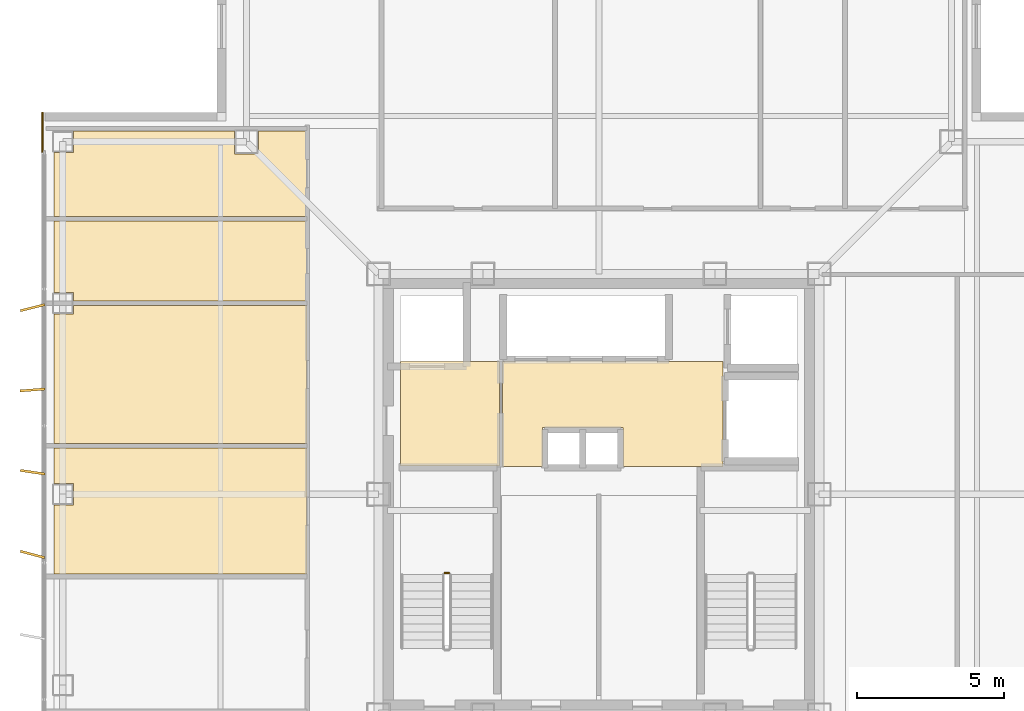
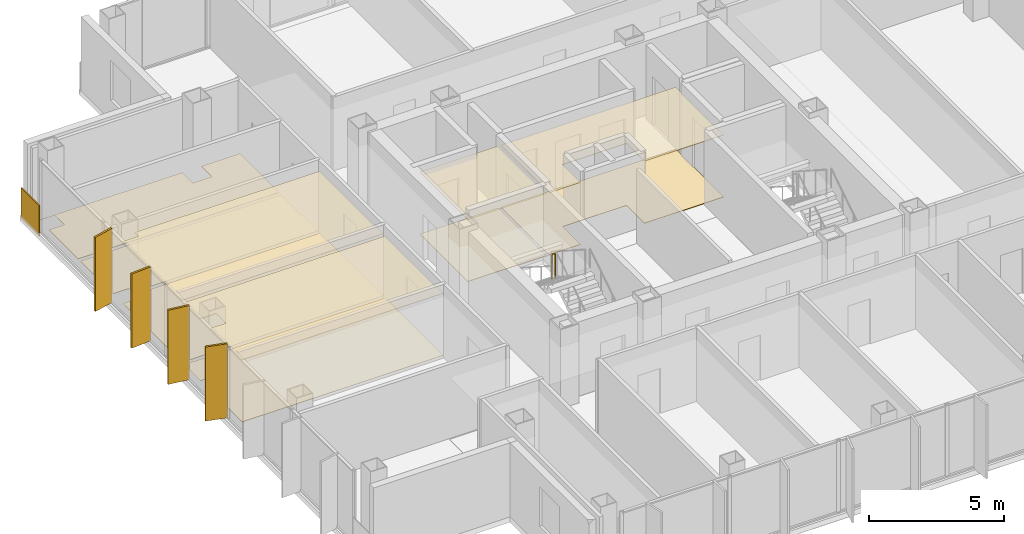
# One storey, part 12 of 15: 11 coverings, 4 shading devices, 1 railing.
"""IFC4 building model written with IfcOpenShell, lengths in metres."""

from ifc_helpers import new_model, si_unit, direction, frame, frame_2d, origin, origin_2d, place, context, subcontext, project, spatial, polyline, rectangle, circle, outline, extrude, material, layer, layer_set, type_object, element, save


model = new_model("IFC4")

# Units and contexts
model_context = context("Model", 3, precision=1e-05, world=origin(), true_north=direction((0.0, 1.0)))
body_context = subcontext(model_context, "Body", "Model", "MODEL_VIEW")
ifc_project = project(units=[si_unit("LENGTHUNIT", "METRE"), si_unit("AREAUNIT", "SQUARE_METRE"), si_unit("VOLUMEUNIT", "CUBIC_METRE"), si_unit("PLANEANGLEUNIT", "RADIAN"), si_unit("MASSUNIT", "GRAM", prefix="KILO")], contexts=[model_context])

# Site, building, storey
site_placement = place(None, origin())
site = spatial("IfcSite", under=ifc_project, at=site_placement, CompositionType="ELEMENT")
building_placement = place(site_placement, origin())
building = spatial("IfcBuilding", under=site, at=building_placement, Name="Trevonay Congress Spire", CompositionType="ELEMENT")
storey_placement = place(building_placement, frame((0.0, 0.0, 239.60009765625)))
storey = spatial("IfcBuildingStorey", under=building, at=storey_placement, Name="L62", CompositionType="ELEMENT", Elevation=239.60009765625)

# Coverings
ifc_material_1 = material(Name="Acoustic Mineral Fibre Board", Category="gypsum")
ifc_layer_1 = layer(ifc_material_1, 0.02490234375, Name="Acoustic Mineral Fibre Board")
ifc_layer_set_1 = layer_set([ifc_layer_1], Name="Acoustic Mineral Fibre Board")
covering_type_1 = type_object("IfcCoveringType", Name="COV-CEIL-ACOUSTIC", PredefinedType="CEILING", material=ifc_layer_set_1)
covering_1_placement = place(storey_placement, frame((0.0, 0.0, 2.809814453125)))
element("IfcCovering", 1, at=covering_1_placement, inside=storey, type_object=covering_type_1, Name="L62 Firefighting Lift Lobby West acoustic suspended ceiling", PredefinedType="CEILING", context=body_context, shape_type="SweptSolid", body=[
    extrude(outline(polyline([(-6.75, 0.9599609375), (-3.3798828125, 0.9599609375), (-3.3798828125, 4.52001953125), (-6.75, 4.52001953125), (-6.75, 0.9599609375)])), origin(), (0.0, 0.0, 1.0), 0.025146484375),
])
covering_2_placement = place(storey_placement, frame((0.0, 0.0, 2.809814453125)))
element("IfcCovering", 2, at=covering_2_placement, inside=storey, type_object=covering_type_1, Name="L62 Central and High-Rise Passenger Lift Lobby acoustic suspended ceiling", PredefinedType="CEILING", context=body_context, shape_type="SweptSolid", body=[
    extrude(outline(polyline([(-3.280029296875, 0.949951171875), (-1.919921875, 0.949951171875), (-1.919921875, 2.280029296875), (0.820068359375, 2.280029296875), (0.820068359375, 0.949951171875), (4.219970703125, 0.949951171875), (4.219970703125, 4.52001953125), (-3.280029296875, 4.52001953125), (-3.280029296875, 0.949951171875)])), origin(), (0.0, 0.0, 1.0), 0.025146484375),
])
covering_3_placement = place(storey_placement, frame((0.0, 0.0, 2.809814453125)))
element("IfcCovering", 3, at=covering_3_placement, inside=storey, type_object=covering_type_1, Name="L62 Press Attache Office acoustic suspended ceiling", PredefinedType="CEILING", context=body_context, shape_type="SweptSolid", body=[
    extrude(outline(polyline([(-18.550048828125, 1.570068359375), (-9.929931640625, 1.570068359375), (-9.929931640625, -2.719970703125), (-18.550048828125, -2.719970703125), (-18.550048828125, -0.360107421875), (-17.889892578125, -0.360107421875), (-17.889892578125, 0.360107421875), (-18.550048828125, 0.360107421875), (-18.550048828125, 1.570068359375)])), origin(), (0.0, 0.0, 1.0), 0.025146484375),
])
covering_4_placement = place(storey_placement, frame((0.0, 0.0, 2.809814453125)))
element("IfcCovering", 4, at=covering_4_placement, inside=storey, type_object=covering_type_1, Name="L62 Registry Cipher Office acoustic suspended ceiling", PredefinedType="CEILING", context=body_context, shape_type="SweptSolid", body=[
    extrude(outline(polyline([(-9.929931640625, 6.419921875), (-9.929931640625, 1.72998046875), (-18.550048828125, 1.72998046875), (-18.550048828125, 6.139892578125), (-17.889892578125, 6.139892578125), (-17.889892578125, 6.419921875), (-9.929931640625, 6.419921875)])), origin(), (0.0, 0.0, 1.0), 0.025146484375),
])
ifc_material_2 = material(Name="Polished Granite Floor Tile", Category="masonry")
ifc_layer_2 = layer(ifc_material_2, 0.02001953125, Name="Polished Granite Floor Tile")
ifc_layer_set_2 = layer_set([ifc_layer_2], Name="Polished Granite Floor Tile")
covering_type_2 = type_object("IfcCoveringType", Name="COV-FLOOR-STONE", PredefinedType="FLOORING", material=ifc_layer_set_2)
covering_5_placement = place(storey_placement, origin())
element("IfcCovering", 5, at=covering_5_placement, inside=storey, type_object=covering_type_2, Name="L62 Firefighting Lift Lobby West floor finish", PredefinedType="FLOORING", context=body_context, shape_type="SweptSolid", body=[
    extrude(outline(polyline([(-6.75, 0.9599609375), (-3.3798828125, 0.9599609375), (-3.3798828125, 4.52001953125), (-6.75, 4.52001953125), (-6.75, 0.9599609375)])), origin(), (0.0, 0.0, 1.0), 0.02001953125),
])
covering_6_placement = place(storey_placement, origin())
element("IfcCovering", 6, at=covering_6_placement, inside=storey, type_object=covering_type_2, Name="L62 Central and High-Rise Passenger Lift Lobby floor finish", PredefinedType="FLOORING", context=body_context, shape_type="SweptSolid", body=[
    extrude(outline(polyline([(-3.280029296875, 0.949951171875), (-1.919921875, 0.949951171875), (-1.919921875, 2.280029296875), (0.820068359375, 2.280029296875), (0.820068359375, 0.949951171875), (4.219970703125, 0.949951171875), (4.219970703125, 4.52001953125), (-3.280029296875, 4.52001953125), (-3.280029296875, 0.949951171875)])), origin(), (0.0, 0.0, 1.0), 0.02001953125),
])
covering_7_placement = place(storey_placement, origin())
element("IfcCovering", 7, at=covering_7_placement, inside=storey, type_object=covering_type_2, Name="L62 Male Restroom WC floor finish", PredefinedType="FLOORING", context=body_context, shape_type="SweptSolid", body=[
    extrude(outline(polyline([(-18.550048828125, 9.300048828125), (-9.929931640625, 9.300048828125), (-9.929931640625, 6.580078125), (-17.889892578125, 6.580078125), (-17.889892578125, 6.860107421875), (-18.550048828125, 6.860107421875), (-18.550048828125, 9.300048828125)])), origin(), (0.0, 0.0, 1.0), 0.02001953125),
])
covering_8_placement = place(storey_placement, origin())
element("IfcCovering", 8, at=covering_8_placement, inside=storey, type_object=covering_type_2, Name="L62 Floor Supplies and Copy Room floor finish", PredefinedType="FLOORING", context=body_context, shape_type="SweptSolid", body=[
    extrude(outline(polyline([(-9.929931640625, 12.3701171875), (-9.929931640625, 9.4599609375), (-18.550048828125, 9.4599609375), (-18.550048828125, 11.639892578125), (-17.889892578125, 11.639892578125), (-17.889892578125, 12.360107421875), (-18.550048828125, 12.360107421875), (-18.550048828125, 12.3701171875), (-12.409912109375, 12.3701171875), (-12.409912109375, 11.590087890625), (-11.590087890625, 11.590087890625), (-11.590087890625, 12.3701171875), (-9.929931640625, 12.3701171875)])), origin(), (0.0, 0.0, 1.0), 0.02001953125),
])
ifc_material_3 = material(Name="Engineered Oak Flooring", Category="wood")
ifc_layer_3 = layer(ifc_material_3, 0.01806640625, Name="Engineered Oak Flooring")
ifc_layer_set_3 = layer_set([ifc_layer_3], Name="Engineered Oak Flooring")
covering_type_3 = type_object("IfcCoveringType", Name="COV-FLOOR-TIMBER", PredefinedType="FLOORING", material=ifc_layer_set_3)
covering_9_placement = place(storey_placement, origin())
element("IfcCovering", 9, at=covering_9_placement, inside=storey, type_object=covering_type_3, Name="L62 Press Attache Office floor finish", PredefinedType="FLOORING", context=body_context, shape_type="SweptSolid", body=[
    extrude(outline(polyline([(-18.550048828125, 1.570068359375), (-9.929931640625, 1.570068359375), (-9.929931640625, -2.719970703125), (-18.550048828125, -2.719970703125), (-18.550048828125, -0.360107421875), (-17.889892578125, -0.360107421875), (-17.889892578125, 0.360107421875), (-18.550048828125, 0.360107421875), (-18.550048828125, 1.570068359375)])), origin(), (0.0, 0.0, 1.0), 0.017822265625),
])
covering_10_placement = place(storey_placement, origin())
element("IfcCovering", 10, at=covering_10_placement, inside=storey, type_object=covering_type_3, Name="L62 Registry Cipher Office floor finish", PredefinedType="FLOORING", context=body_context, shape_type="SweptSolid", body=[
    extrude(outline(polyline([(-9.929931640625, 6.419921875), (-9.929931640625, 1.72998046875), (-18.550048828125, 1.72998046875), (-18.550048828125, 6.139892578125), (-17.889892578125, 6.139892578125), (-17.889892578125, 6.419921875), (-9.929931640625, 6.419921875)])), origin(), (0.0, 0.0, 1.0), 0.017822265625),
])
ifc_material_4 = material(Name="Pale Anodised Aluminium EN AW-6063-T6", Category="aluminium")
ifc_layer_4 = layer(ifc_material_4, 0.0400390625, Name="Pale Anodised Aluminium EN AW-6063-T6")
ifc_layer_set_4 = layer_set([ifc_layer_4], Name="Pale Anodised Aluminium EN AW-6063-T6")
covering_type_4 = type_object("IfcCoveringType", Name="COV-SPANDREL-PALE-METAL", PredefinedType="CLADDING", material=ifc_layer_set_4)
covering_11_placement = place(storey_placement, frame((-18.93994140625, 11.64990234375, -0.150146484375), z_axis=(0.0, 0.0, 1.0), x_axis=(0.0, 1.0, 0.0)))
element("IfcCovering", 11, at=covering_11_placement, inside=storey, type_object=covering_type_4, Name="L62 NW corner pier spandrel cladding 1", PredefinedType="CLADDING", context=body_context, shape_type="SweptSolid", body=[
    extrude(rectangle(XDim=1.35009765625, YDim=0.0400390625, at=frame_2d((0.675048828125, 0.0))), origin(), (0.0, 0.0, 1.0), 1.400146484375),
])

# Railing
railing_type = type_object("IfcRailingType", Name="RAL-STAIR-GUARD-110", PredefinedType="GUARDRAIL", material=ifc_material_4)
railing_placement = place(storey_placement, frame((-5.10009765625, -2.679931640625, 1.7998046875)))
element("IfcRailing", 12, at=railing_placement, inside=storey, type_object=railing_type, Name="L62 ST-1 stair guard 2", PredefinedType="GUARDRAIL", context=body_context, shape_type="SweptSolid", body=[
    extrude(circle(Radius=0.02392578125, at=origin_2d()), frame((0.0, 0.0, 1.1259765625), z_axis=(-1.0, 0.0, 0.0), x_axis=(0.0, -1.0, 0.0)), (0.0, 0.0, 1.0), 0.14990234375),
    extrude(circle(Radius=0.02099609375, at=origin_2d()), origin(), (0.0, 0.0, 1.0), 1.101806640625),
    extrude(circle(Radius=0.02099609375, at=origin_2d()), frame((-0.14990234375, 0.0, 0.0)), (0.0, 0.0, 1.0), 1.101806640625),
])

# Shading devices
shading_device_type = type_object("IfcShadingDeviceType", Name="SHD-FIN-Z4-PALE-METAL", PredefinedType="USERDEFINED", material=ifc_material_4)
for number, where, z_axis, x_axis, name in (
    (13, (-19.280029296875, -2.050048828125, 0.0), (0.0, 0.0, 1.0), (0.258144638645, 0.966106280664, 0.0), "L62 W vertical pale-metal solar fin 4"),
    (14, (-19.280029296875, 0.75, 0.0), (0.0, 0.0, 1.0), (0.146946275799, 0.989144474801, 0.0), "L62 W vertical pale-metal solar fin 5"),
    (15, (-19.280029296875, 3.550048828125, 0.0), (0.0, 0.0, 1.0), (-0.077067060513, 0.997025911491, 0.0), "L62 W vertical pale-metal solar fin 6"),
    (16, (-19.280029296875, 6.35009765625, 0.0), (0.0, 0.0, 1.0), (-0.241244442494, 0.970464383152, 0.0), "L62 W vertical pale-metal solar fin 7"),
):
    element("IfcShadingDevice", number, at=place(storey_placement, frame(where, z_axis=z_axis, x_axis=x_axis)), inside=storey, type_object=shading_device_type, Name=name, ObjectType="SOLAR FIN", PredefinedType="USERDEFINED", context=body_context, shape_type="SweptSolid", body=[
        extrude(rectangle(XDim=0.080078125, YDim=0.85009765625, at=origin_2d()), origin(), (0.0, 0.0, 1.0), 3.360107421875),
    ])

save(model, "model.ifc")
